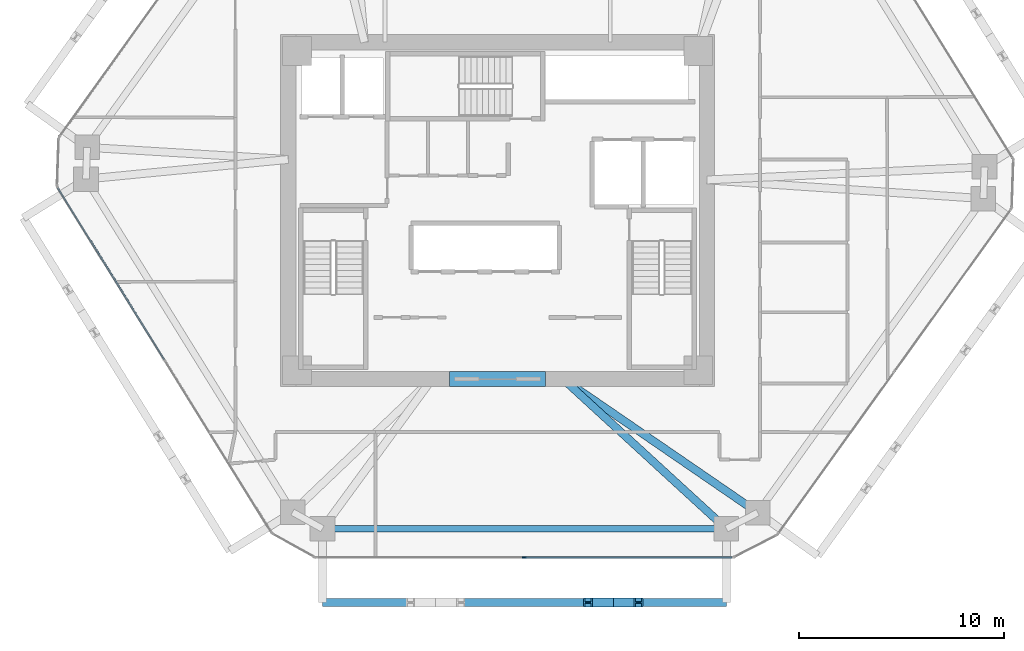
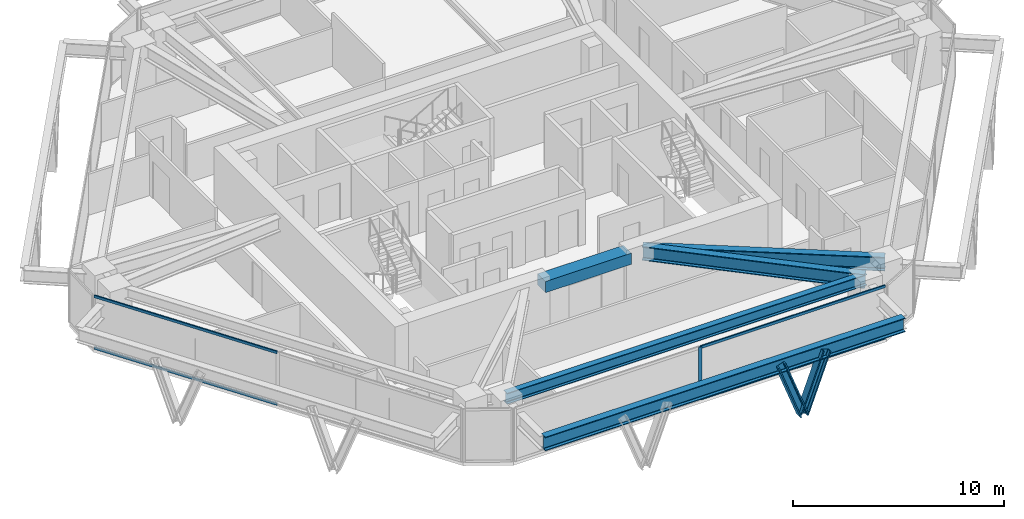
# One storey, part 3 of 13: 7 members, 5 beams, 2 elements without a shape of their own.
"""IFC4 building model written with IfcOpenShell, lengths in metres."""

from ifc_helpers import new_model, si_unit, direction, frame, origin, origin_2d, place, context, subcontext, project, spatial, rectangle, i_section, extrude, source, transform, mapped, material, layer, layer_set, material_profile, profile_set, type_object, type_shapes, element, aggregate, save


model = new_model("IFC4")

# Units and contexts
model_context = context("Model", 3, precision=1e-05, world=origin(), true_north=direction((0.0, 1.0)))
body_context = subcontext(model_context, "Body", "Model", "MODEL_VIEW")
ifc_project = project(units=[si_unit("LENGTHUNIT", "METRE"), si_unit("AREAUNIT", "SQUARE_METRE"), si_unit("VOLUMEUNIT", "CUBIC_METRE"), si_unit("PLANEANGLEUNIT", "RADIAN"), si_unit("MASSUNIT", "GRAM", prefix="KILO")], contexts=[model_context])

# Site, building, storey
site_placement = place(None, origin())
site = spatial("IfcSite", under=ifc_project, at=site_placement, CompositionType="ELEMENT")
building_placement = place(site_placement, origin())
building = spatial("IfcBuilding", under=site, at=building_placement, Name="Durnholm Broadcast Tower", CompositionType="ELEMENT")
storey_placement = place(building_placement, frame((0.0, 0.0, 133.800048828125)))
storey = spatial("IfcBuildingStorey", under=building, at=storey_placement, Name="L36", CompositionType="ELEMENT", Elevation=133.800048828125)

# Beams
ifc_material_1 = material(Name="Concrete C70/85", Category="concrete")
ifc_material_profile_1 = material_profile(ifc_material_1, rectangle(XDim=0.75, YDim=0.64990234375, at=origin_2d()), Name="RC750X650")
ifc_profile_set_1 = profile_set([ifc_material_profile_1], Name="Concrete C70/85")
beam_type_1 = type_object("IfcBeamType", Name="BM-CB-RC650", PredefinedType="LINTEL", material=ifc_profile_set_1)
shared_shape_1 = source(origin(), body_context, "Body", "SweptSolid", [
    extrude(rectangle(XDim=0.75, YDim=0.64990234375, at=origin_2d()), origin(), (0.0, 0.0, 1.0), 4.7001953125),
])
type_shapes(beam_type_1, [shared_shape_1])
beam_1_placement = place(storey_placement, frame((-2.35009765625, -8.22509765625, 2.72998046875), z_axis=(1.0, 0.0, 0.0), x_axis=(0.0, 1.0, 0.0)))
element("IfcBeam", 1, at=beam_1_placement, inside=storey, type_object=beam_type_1, Name="L36 south core coupling lintel beam CB-S", PredefinedType="LINTEL", context=body_context, shape_type="MappedRepresentation", body=[
    mapped(shared_shape_1, transform((0.0, 0.0, 0.0), x_axis=(1.0, 0.0, 0.0), y_axis=(0.0, 1.0, 0.0), z_axis=(0.0, 0.0, 1.0), scale=1.0)),
])
ifc_material_2 = material(Name="Steel ASTM A992 Grade 50", Category="steel")
ifc_material_profile_2 = material_profile(ifc_material_2, i_section(OverallWidth=0.3291015625, OverallDepth=0.635009765625, WebThickness=0.017822265625, FlangeThickness=0.031005859375, FilletRadius=0.02783203125, at=origin_2d()), Name="W24X162")
ifc_profile_set_2 = profile_set([ifc_material_profile_2], Name="Steel ASTM A992 Grade 50")
beam_type_2 = type_object("IfcBeamType", Name="STL-SP-W24X162", PredefinedType="SPANDREL", material=ifc_profile_set_2)
shared_shape_2 = source(origin(), body_context, "Body", "SweptSolid", [
    extrude(i_section(OverallWidth=0.3291015625, OverallDepth=0.635009765625, WebThickness=0.017822265625, FlangeThickness=0.031005859375, FilletRadius=0.02783203125, at=origin_2d()), origin(), (0.0, 0.0, 1.0), 19.72802734375),
])
type_shapes(beam_type_2, [shared_shape_2])
beam_2_placement = place(storey_placement, frame((11.176025390625, -15.537109375, 2.7275390625), z_axis=(-1.0, 0.0, 0.0), x_axis=(0.0, -1.0, 0.0)))
element("IfcBeam", 2, at=beam_2_placement, inside=storey, type_object=beam_type_2, Name="L36 perimeter spandrel girder 11", PredefinedType="SPANDREL", context=body_context, shape_type="MappedRepresentation", body=[
    mapped(shared_shape_2, transform((0.0, 0.0, 0.0), x_axis=(1.0, 0.0, 0.0), y_axis=(0.0, 1.0, 0.0), z_axis=(0.0, 0.0, 1.0), scale=1.0)),
])
ifc_material_profile_3 = material_profile(ifc_material_2, i_section(OverallWidth=0.385009765625, OverallDepth=0.802978515625, WebThickness=0.023681640625, FlangeThickness=0.0419921875, FilletRadius=0.032958984375, at=origin_2d()), Name="W30X261")
ifc_profile_set_3 = profile_set([ifc_material_profile_3], Name="Steel ASTM A992 Grade 50")
beam_type_3 = type_object("IfcBeamType", Name="STL-GR-W30X261", PredefinedType="USERDEFINED", material=ifc_profile_set_3)
shared_shape_3 = source(origin(), body_context, "Body", "SweptSolid", [
    extrude(i_section(OverallWidth=0.385009765625, OverallDepth=0.802978515625, WebThickness=0.023681640625, FlangeThickness=0.0419921875, FilletRadius=0.032958984375, at=origin_2d()), origin(), (0.0, 0.0, 1.0), 11.533447265625),
])
beam_3_placement = place(storey_placement, frame((3.199951171875, -8.22509765625, 2.6435546875), z_axis=(0.824567182461, -0.565764051181, 0.0), x_axis=(0.565764051181, 0.824567182461, 0.0)))
element("IfcBeam", 3, at=beam_3_placement, inside=storey, type_object=beam_type_3, Name="L36 radial primary floor girder 10", ObjectType="GIRDER", PredefinedType="USERDEFINED", context=body_context, shape_type="MappedRepresentation", body=[
    mapped(shared_shape_3, transform((0.0, 0.0, 0.0), x_axis=(1.0, 0.0, 0.0), y_axis=(0.0, 1.0, 0.0), z_axis=(0.0, 0.0, 1.0), scale=1.0)),
])
shared_shape_4 = source(origin(), body_context, "Body", "SweptSolid", [
    extrude(i_section(OverallWidth=0.385009765625, OverallDepth=0.802978515625, WebThickness=0.023681640625, FlangeThickness=0.0419921875, FilletRadius=0.032958984375, at=origin_2d()), origin(), (0.0, 0.0, 1.0), 10.820556640625),
])
type_shapes(beam_type_3, [shared_shape_3, shared_shape_4])
beam_4_placement = place(storey_placement, frame((3.199951171875, -8.22509765625, 2.6435546875), z_axis=(0.737126042516, -0.675755279258, 0.0), x_axis=(0.675755279258, 0.737126042516, 0.0)))
element("IfcBeam", 4, at=beam_4_placement, inside=storey, type_object=beam_type_3, Name="L36 radial primary floor girder 11", ObjectType="GIRDER", PredefinedType="USERDEFINED", context=body_context, shape_type="MappedRepresentation", body=[
    mapped(shared_shape_4, transform((0.0, 0.0, 0.0), x_axis=(1.0, 0.0, 0.0), y_axis=(0.0, 1.0, 0.0), z_axis=(0.0, 0.0, 1.0), scale=1.0)),
])
ifc_material_profile_4 = material_profile(ifc_material_2, i_section(OverallWidth=0.385009765625, OverallDepth=0.802978515625, WebThickness=0.023681640625, FlangeThickness=0.0419921875, FilletRadius=0.032958984375, at=origin_2d()), Name="W30X261")
ifc_profile_set_4 = profile_set([ifc_material_profile_4], Name="Steel ASTM A992 Grade 50")
beam_type_4 = type_object("IfcBeamType", Name="BM-EXO-TIE", PredefinedType="USERDEFINED", material=ifc_profile_set_4)
shared_shape_5 = source(origin(), body_context, "Body", "SweptSolid", [
    extrude(i_section(OverallWidth=0.385009765625, OverallDepth=0.802978515625, WebThickness=0.023681640625, FlangeThickness=0.0419921875, FilletRadius=0.032958984375, at=origin_2d()), origin(), (0.0, 0.0, 1.0), 19.72802734375),
])
type_shapes(beam_type_4, [shared_shape_5])
beam_5_placement = place(storey_placement, frame((-8.552001953125, -19.136962890625, 2.30859375), z_axis=(1.0, 0.0, 0.0), x_axis=(0.0, 1.0, 0.0)))
element("IfcBeam", 5, at=beam_5_placement, inside=storey, type_object=beam_type_4, Name="L36 exoskeleton collector spandrel F1", PredefinedType="SPANDREL", context=body_context, shape_type="MappedRepresentation", body=[
    mapped(shared_shape_5, transform((0.0, 0.0, 0.0), x_axis=(1.0, 0.0, 0.0), y_axis=(0.0, 1.0, 0.0), z_axis=(0.0, 0.0, 1.0), scale=1.0)),
])

# Members
ifc_material_3 = material(Name="Steel ASTM A913 Grade 65", Category="steel")
ifc_material_profile_5 = material_profile(ifc_material_3, i_section(OverallWidth=0.41845703125, OverallDepth=0.455078125, WebThickness=0.0419921875, FlangeThickness=0.067626953125, FilletRadius=0.030517578125, at=origin_2d()), Name="W14X370")
ifc_profile_set_5 = profile_set([ifc_material_profile_5], Name="Steel ASTM A913 Grade 65")
member_type_1 = type_object("IfcMemberType", Name="STL-DG-W14X370", PredefinedType="BRACE", material=ifc_profile_set_5)
shared_shape_6 = source(origin(), body_context, "Body", "SweptSolid", [
    extrude(i_section(OverallWidth=0.41845703125, OverallDepth=0.455078125, WebThickness=0.0419921875, FlangeThickness=0.067626953125, FilletRadius=0.030517578125, at=origin_2d()), origin(), (0.0, 0.0, 1.0), 3.523193359375),
])
type_shapes(member_type_1, [shared_shape_6])
for number, where, z_axis, x_axis, name in (
    (6, (5.65234375, -19.136962890625, -0.991455078125), (-0.350219588454, 0.0, 0.936667625075), (0.0, -1.0, 0.0), "L36 stand-off diagrid brace F1.D2.1"),
    (7, (5.65234375, -19.136962890625, -0.991455078125), (0.350158790071, 0.0, 0.936690355313), (0.0, 1.0, 0.0), "L36 stand-off diagrid brace F1.D2.2"),
):
    element("IfcMember", number, at=place(storey_placement, frame(where, z_axis=z_axis, x_axis=x_axis)), inside=storey, type_object=member_type_1, Name=name, PredefinedType="BRACE", context=body_context, shape_type="MappedRepresentation", body=[
        mapped(shared_shape_6, transform((0.0, 0.0, 0.0), x_axis=(1.0, 0.0, 0.0), y_axis=(0.0, 1.0, 0.0), z_axis=(0.0, 0.0, 1.0), scale=1.0)),
    ])

# Curtain wall, members
ifc_material_4 = material(Name="Aluminium and Solar Control IGU", Category="aluminium")
ifc_layer = layer(ifc_material_4, 0.18994140625)
ifc_layer_set = layer_set([ifc_layer], Name="Aluminium and Solar Control IGU")
curtain_wall_type = type_object("IfcCurtainWallType", Name="CW-SYS-3", PredefinedType="NOTDEFINED", material=ifc_layer_set)
curtain_wall_1_placement = place(storey_placement, origin())
curtain_wall_1 = element("IfcCurtainWall", 8, at=curtain_wall_1_placement, inside=storey, type_object=curtain_wall_type, Name="L36 curtain wall CW-Z12-VIS CW-L36-F10", PredefinedType="NOTDEFINED")
ifc_material_5 = material(Name="Aluminium 6063-T6", Category="aluminium")
ifc_material_profile_6 = material_profile(ifc_material_5, rectangle(XDim=0.070068359375, YDim=0.18994140625, at=origin_2d()), Name="CWM70X190")
ifc_profile_set_6 = profile_set([ifc_material_profile_6], Name="Aluminium 6063-T6")
member_type_2 = type_object("IfcMemberType", Name="CW-SYS-3-MUL", PredefinedType="MULLION", material=ifc_profile_set_6)
shared_shape_7 = source(origin(), body_context, "Body", "SweptSolid", [
    extrude(rectangle(XDim=0.070068359375, YDim=0.18994140625, at=origin_2d()), origin(), (0.0, 0.0, 1.0), 3.06005859375),
])
type_shapes(member_type_2, [shared_shape_7])
member_1_placement = place(storey_placement, frame((1.299560546875, -16.93701171875, 0.0), z_axis=(0.0, 0.0, 1.0), x_axis=(0.0, -1.0, 0.0)))
member_1 = element("IfcMember", 9, at=member_1_placement, type_object=member_type_2, Name="CW-Z12-VIS mullion 2", PredefinedType="MULLION", context=body_context, shape_type="MappedRepresentation", body=[
    mapped(shared_shape_7, transform((0.0, 0.0, 0.0), x_axis=(1.0, 0.0, 0.0), y_axis=(0.0, 1.0, 0.0), z_axis=(0.0, 0.0, 1.0), scale=1.0)),
])
ifc_material_profile_7 = material_profile(ifc_material_5, rectangle(XDim=0.070068359375, YDim=0.14990234375, at=origin_2d()), Name="CWT70X150")
ifc_profile_set_7 = profile_set([ifc_material_profile_7], Name="Aluminium 6063-T6")
member_type_3 = type_object("IfcMemberType", Name="CW-SYS-3-TRN", PredefinedType="USERDEFINED", material=ifc_profile_set_7)
shared_shape_8 = source(origin(), body_context, "Body", "SweptSolid", [
    extrude(rectangle(XDim=0.070068359375, YDim=0.14990234375, at=origin_2d()), origin(), (0.0, 0.0, 1.0), 10.109619140625),
])
member_2_placement = place(storey_placement, frame((11.444091796875, -16.93701171875, 0.034912109375), z_axis=(-1.0, 0.0, 0.0), x_axis=(0.0, -1.0, 0.0)))
member_2 = element("IfcMember", 10, at=member_2_placement, type_object=member_type_3, Name="CW-Z12-VIS transom 1.1", ObjectType="TRANSOM", PredefinedType="USERDEFINED", context=body_context, shape_type="MappedRepresentation", body=[
    mapped(shared_shape_8, transform((0.0, 0.0, 0.0), x_axis=(1.0, 0.0, 0.0), y_axis=(0.0, 1.0, 0.0), z_axis=(0.0, 0.0, 1.0), scale=1.0)),
])
member_3_placement = place(storey_placement, frame((11.444091796875, -16.93701171875, 3.02490234375), z_axis=(-1.0, 0.0, 0.0), x_axis=(0.0, -1.0, 0.0)))
member_3 = element("IfcMember", 11, at=member_3_placement, type_object=member_type_3, Name="CW-Z12-VIS transom 1.2", ObjectType="TRANSOM", PredefinedType="USERDEFINED", context=body_context, shape_type="MappedRepresentation", body=[
    mapped(shared_shape_8, transform((0.0, 0.0, 0.0), x_axis=(1.0, 0.0, 0.0), y_axis=(0.0, 1.0, 0.0), z_axis=(0.0, 0.0, 1.0), scale=1.0)),
])
aggregate(curtain_wall_1, [member_1, member_2, member_3])

curtain_wall_2_placement = place(storey_placement, origin())
curtain_wall_2 = element("IfcCurtainWall", 12, at=curtain_wall_2_placement, inside=storey, type_object=curtain_wall_type, Name="L36 curtain wall CW-Z12-VIS CW-L36-F12", PredefinedType="NOTDEFINED")
shared_shape_9 = source(origin(), body_context, "Body", "SweptSolid", [
    extrude(rectangle(XDim=0.070068359375, YDim=0.14990234375, at=origin_2d()), origin(), (0.0, 0.0, 1.0), 9.85888671875),
])
type_shapes(member_type_3, [shared_shape_8, shared_shape_9])
member_4_placement = place(storey_placement, frame((-16.28271484375, -7.27294921875, 0.034912109375), z_axis=(-0.527119964735, 0.849790881793, 0.0), x_axis=(-0.849790881793, -0.527119964735, 0.0)))
member_4 = element("IfcMember", 13, at=member_4_placement, type_object=member_type_3, Name="CW-Z12-VIS transom 2.1", ObjectType="TRANSOM", PredefinedType="USERDEFINED", context=body_context, shape_type="MappedRepresentation", body=[
    mapped(shared_shape_9, transform((0.0, 0.0, 0.0), x_axis=(1.0, 0.0, 0.0), y_axis=(0.0, 1.0, 0.0), z_axis=(0.0, 0.0, 1.0), scale=1.0)),
])
member_5_placement = place(storey_placement, frame((-16.28271484375, -7.27294921875, 3.02490234375), z_axis=(-0.527119964735, 0.849790881793, 0.0), x_axis=(-0.849790881793, -0.527119964735, 0.0)))
member_5 = element("IfcMember", 14, at=member_5_placement, type_object=member_type_3, Name="CW-Z12-VIS transom 2.2", ObjectType="TRANSOM", PredefinedType="USERDEFINED", context=body_context, shape_type="MappedRepresentation", body=[
    mapped(shared_shape_9, transform((0.0, 0.0, 0.0), x_axis=(1.0, 0.0, 0.0), y_axis=(0.0, 1.0, 0.0), z_axis=(0.0, 0.0, 1.0), scale=1.0)),
])
aggregate(curtain_wall_2, [member_4, member_5])

save(model, "model.ifc")
